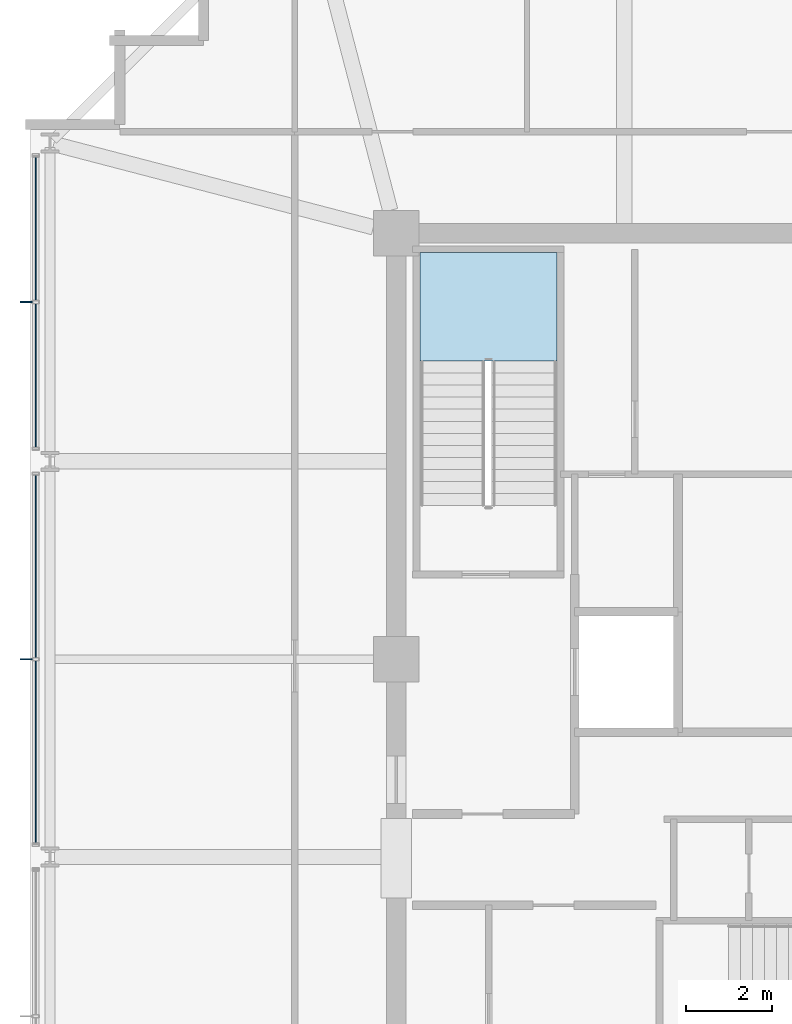
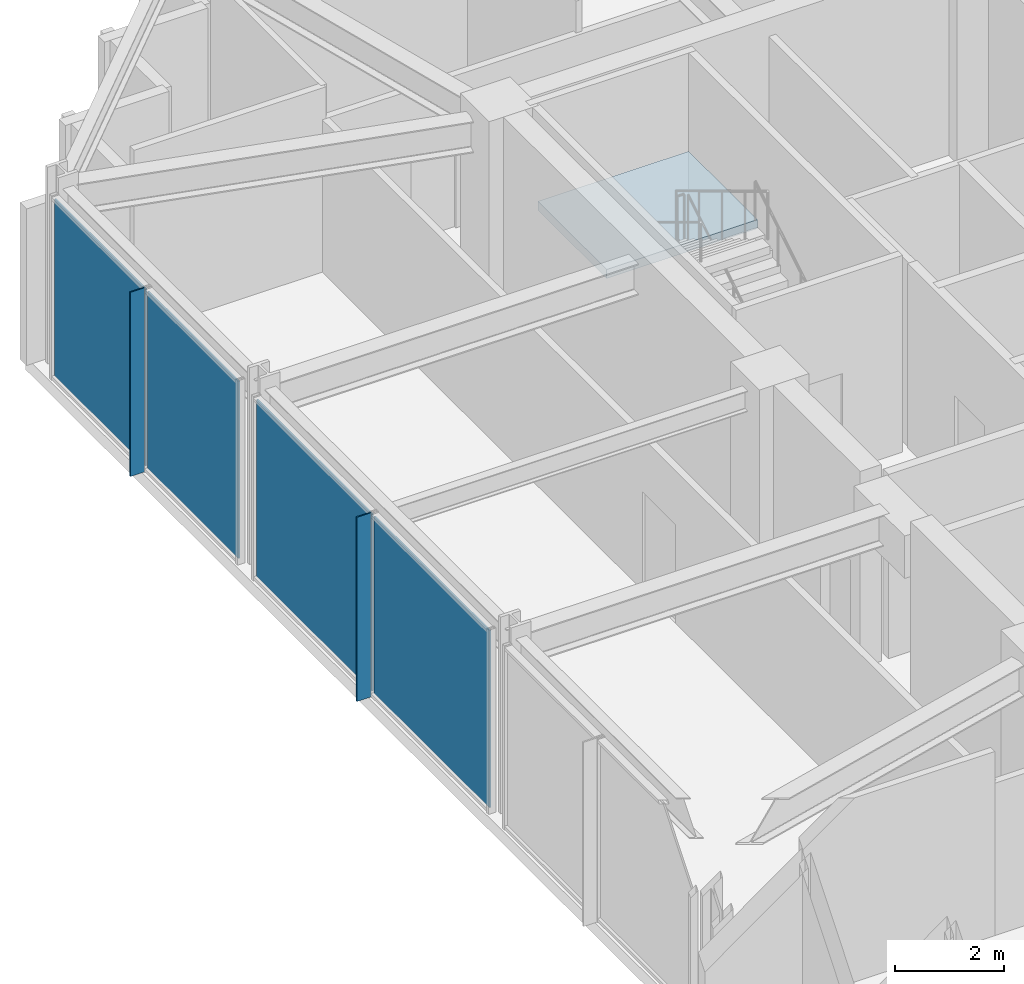
# One storey, part 19 of 26: 6 plates, 1 slab, 3 elements without a shape of their own.
"""IFC4 building model written with IfcOpenShell, lengths in metres."""

from ifc_helpers import new_model, si_unit, direction, frame, origin, origin_2d, place, context, subcontext, project, spatial, polyline, rectangle, outline, extrude, material, layer, layer_set, type_object, element, aggregate, save


model = new_model("IFC4")

# Units and contexts
model_context = context("Model", 3, precision=1e-05, world=origin(), true_north=direction((0.0, 1.0)))
body_context = subcontext(model_context, "Body", "Model", "MODEL_VIEW")
ifc_project = project(units=[si_unit("LENGTHUNIT", "METRE"), si_unit("AREAUNIT", "SQUARE_METRE"), si_unit("VOLUMEUNIT", "CUBIC_METRE"), si_unit("PLANEANGLEUNIT", "RADIAN"), si_unit("MASSUNIT", "GRAM", prefix="KILO")], contexts=[model_context])

# Site, building, storey
site_placement = place(None, origin())
site = spatial("IfcSite", under=ifc_project, at=site_placement, CompositionType="ELEMENT")
building_placement = place(site_placement, origin())
building = spatial("IfcBuilding", under=site, at=building_placement, Name="Kolvaren Belvedere", CompositionType="ELEMENT")
storey_placement = place(building_placement, frame((0.0, 0.0, 258.39990234375)))
storey = spatial("IfcBuildingStorey", under=building, at=storey_placement, Name="L75", CompositionType="ELEMENT", Elevation=258.39990234375)

# Curtain wall, plates
ifc_material_1 = material(Name="Anodised pale-metal aluminium AA 6063-T6", Category="aluminium")
curtain_wall_type = type_object("IfcCurtainWallType", Name="CW-CRN-OBS", PredefinedType="NOTDEFINED", material=ifc_material_1)
curtain_wall_1_placement = place(storey_placement, origin())
curtain_wall_1 = element("IfcCurtainWall", 1, at=curtain_wall_1_placement, inside=storey, type_object=curtain_wall_type, Name="L75 Unitised Curtain Wall FCW-L75-W-B2", PredefinedType="NOTDEFINED")
ifc_material_2 = material(Name="Low-iron laminated vision glass", Category="glass")
ifc_layer_1 = layer(ifc_material_2, 0.031982421875)
ifc_layer_set_1 = layer_set([ifc_layer_1], Name="Low-iron laminated vision glass")
plate_type_1 = type_object("IfcPlateType", Name="CW-PNL-VIS32", PredefinedType="CURTAIN_PANEL", material=ifc_layer_set_1)
plate_1_placement = place(storey_placement, frame((-18.280029296875, -2.155029296875, 0.080078125), z_axis=(0.0, 0.0, 1.0), x_axis=(0.0, 1.0, 0.0)))
plate_1 = element("IfcPlate", 2, at=plate_1_placement, type_object=plate_type_1, Name="FCW-L75-W-B2 Vision Glazing Panel 1", PredefinedType="CURTAIN_PANEL", context=body_context, shape_type="SweptSolid", body=[
    extrude(rectangle(XDim=4.22998046875, YDim=0.031982421875, at=origin_2d()), origin(), (0.0, 0.0, 1.0), 3.9599609375),
])
plate_2_placement = place(storey_placement, frame((-18.280029296875, 2.155029296875, 0.080078125), z_axis=(0.0, 0.0, 1.0), x_axis=(0.0, 1.0, 0.0)))
plate_2 = element("IfcPlate", 3, at=plate_2_placement, type_object=plate_type_1, Name="FCW-L75-W-B2 Vision Glazing Panel 2", PredefinedType="CURTAIN_PANEL", context=body_context, shape_type="SweptSolid", body=[
    extrude(rectangle(XDim=4.22998046875, YDim=0.031982421875, at=origin_2d()), origin(), (0.0, 0.0, 1.0), 3.9599609375),
])
aggregate(curtain_wall_1, [plate_1, plate_2])

curtain_wall_2_placement = place(storey_placement, origin())
curtain_wall_2 = element("IfcCurtainWall", 4, at=curtain_wall_2_placement, inside=storey, type_object=curtain_wall_type, Name="L75 Unitised Curtain Wall FCW-L75-W-B3", PredefinedType="NOTDEFINED")
plate_3_placement = place(storey_placement, frame((-18.280029296875, 6.594970703125, 0.080078125), z_axis=(0.0, 0.0, 1.0), x_axis=(0.0, 1.0, 0.0)))
plate_3 = element("IfcPlate", 5, at=plate_3_placement, type_object=plate_type_1, Name="FCW-L75-W-B3 Vision Glazing Panel 1", PredefinedType="CURTAIN_PANEL", context=body_context, shape_type="SweptSolid", body=[
    extrude(rectangle(XDim=3.330078125, YDim=0.031982421875, at=origin_2d()), origin(), (0.0, 0.0, 1.0), 3.9599609375),
])
plate_4_placement = place(storey_placement, frame((-18.280029296875, 10.0048828125, 0.080078125), z_axis=(0.0, 0.0, 1.0), x_axis=(0.0, 1.0, 0.0)))
plate_4 = element("IfcPlate", 6, at=plate_4_placement, type_object=plate_type_1, Name="FCW-L75-W-B3 Vision Glazing Panel 2", PredefinedType="CURTAIN_PANEL", context=body_context, shape_type="SweptSolid", body=[
    extrude(rectangle(XDim=3.330078125, YDim=0.031982421875, at=origin_2d()), origin(), (0.0, 0.0, 1.0), 3.9599609375),
])
aggregate(curtain_wall_2, [plate_3, plate_4])

# Plates
ifc_material_3 = material(Name="Anodised pale-metal aluminium AA 6063-T6", Category="aluminium")
ifc_layer_2 = layer(ifc_material_3, 0.030029296875)
ifc_layer_set_2 = layer_set([ifc_layer_2], Name="Anodised pale-metal aluminium AA 6063-T6")
plate_type_2 = type_object("IfcPlateType", Name="FIN-VERT-300", PredefinedType="USERDEFINED", material=ifc_layer_set_2)
for number, where, z_axis, x_axis, name in (
    (7, (-18.4951171875, 0.0, 0.0), (0.0, 0.0, 1.0), (1.0, 0.0, 0.0), "L75 Pale-Metal Vertical Shading Fin FCW-L75-W-B2-1"),
    (8, (-18.4951171875, 8.300048828125, 0.0), (0.0, 0.0, 1.0), (1.0, 0.0, 0.0), "L75 Pale-Metal Vertical Shading Fin FCW-L75-W-B3-1"),
):
    element("IfcPlate", number, at=place(storey_placement, frame(where, z_axis=z_axis, x_axis=x_axis)), inside=storey, type_object=plate_type_2, Name=name, ObjectType="VERTICAL FIN", PredefinedType="USERDEFINED", context=body_context, shape_type="SweptSolid", body=[
        extrude(rectangle(XDim=0.300048828125, YDim=0.030029296875, at=origin_2d()), origin(), (0.0, 0.0, 1.0), 4.1201171875),
    ])

# Stair, slab
ifc_material_4 = material(Name="Concrete C50/60", Category="concrete")
stair_type = type_object("IfcStairType", Name="ST-CORE-1520", PredefinedType="HALF_TURN_STAIR", material=ifc_material_4)
stair_placement = place(storey_placement, origin())
stair = element("IfcStair", 9, at=stair_placement, inside=storey, type_object=stair_type, Name="L75 Protected Exit Stair ST-1", PredefinedType="HALF_TURN_STAIR")
ifc_material_5 = material(Name="Concrete C50/60", Category="concrete")
ifc_layer_3 = layer(ifc_material_5, 0.260009765625)
ifc_layer_set_3 = layer_set([ifc_layer_3], Name="Concrete C50/60")
slab_type = type_object("IfcSlabType", Name="SL-LAND-260", PredefinedType="LANDING", material=ifc_layer_set_3)
slab_placement = place(storey_placement, frame((0.0, 0.0, 2.0)))
slab = element("IfcSlab", 10, at=slab_placement, type_object=slab_type, Name="ST-1 landing 1", PredefinedType="LANDING", context=body_context, shape_type="SweptSolid", body=[
    extrude(outline(polyline([(-6.159912109375, 6.929931640625), (-6.159912109375, 9.449951171875), (-9.35009765625, 9.449951171875), (-9.35009765625, 6.929931640625), (-6.159912109375, 6.929931640625)])), origin(), (0.0, 0.0, 1.0), 0.2001953125),
])
aggregate(stair, [slab])

save(model, "model.ifc")
